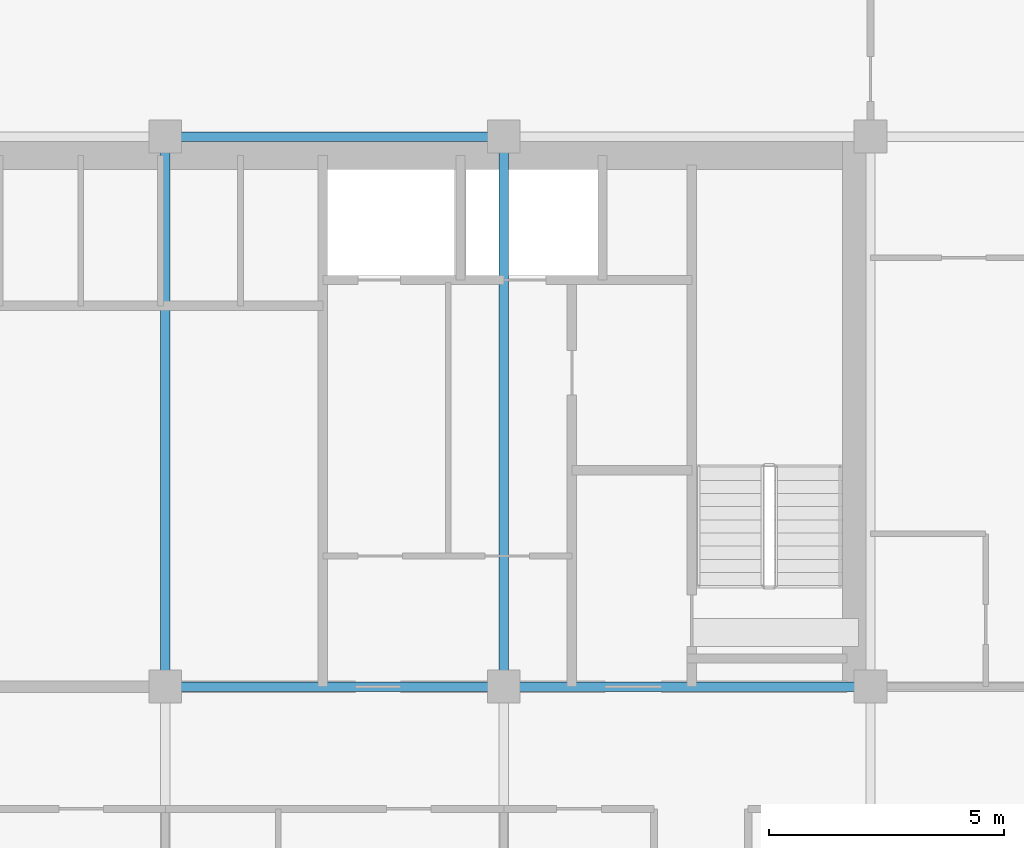
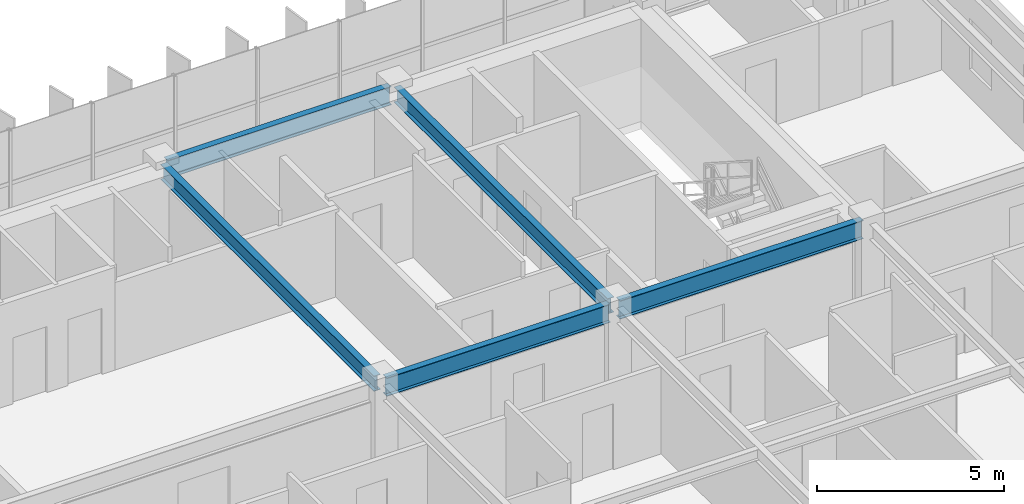
# One storey, part 8 of 22: 5 beams.
"""IFC4 building model written with IfcOpenShell, lengths in metres."""

from ifc_helpers import new_model, si_unit, direction, frame, origin, origin_2d, place, context, subcontext, project, spatial, i_section, extrude, source, transform, mapped, material, material_profile, profile_set, type_object, element, save


model = new_model("IFC4")

# Units and contexts
model_context = context("Model", 3, precision=1e-05, world=origin(), true_north=direction((0.0, 1.0)))
body_context = subcontext(model_context, "Body", "Model", "MODEL_VIEW")
ifc_project = project(units=[si_unit("LENGTHUNIT", "METRE"), si_unit("AREAUNIT", "SQUARE_METRE"), si_unit("VOLUMEUNIT", "CUBIC_METRE"), si_unit("PLANEANGLEUNIT", "RADIAN"), si_unit("MASSUNIT", "GRAM", prefix="KILO")], contexts=[model_context])

# Site, building, storey
site_placement = place(None, origin())
site = spatial("IfcSite", under=ifc_project, at=site_placement, CompositionType="ELEMENT")
building_placement = place(site_placement, origin())
building = spatial("IfcBuilding", under=site, at=building_placement, Name="Trelvane Seafront Commons", CompositionType="ELEMENT")
storey_placement = place(building_placement, frame((0.0, 0.0, 139.300048828125)))
storey = spatial("IfcBuildingStorey", under=building, at=storey_placement, Name="L36", CompositionType="ELEMENT", Elevation=139.300048828125)

# Beams
ifc_material = material(Name="Steel SM355 (S355)", Category="steel")
ifc_material_profile_1 = material_profile(ifc_material, i_section(OverallWidth=0.199951171875, OverallDepth=0.5, WebThickness=0.010009765625, FlangeThickness=0.01611328125, at=origin_2d()), Name="H-500x200x10x16")
ifc_profile_set_1 = profile_set([ifc_material_profile_1], Name="Steel SM355 (S355)")
beam_type_1 = type_object("IfcBeamType", Name="STR-BM-H500", PredefinedType="BEAM", material=ifc_profile_set_1)
shared_shape_1 = source(origin(), body_context, "Body", "SweptSolid", [
    extrude(i_section(OverallWidth=0.199951171875, OverallDepth=0.5, WebThickness=0.010009765625, FlangeThickness=0.01611328125, at=origin_2d()), origin(), (0.0, 0.0, 1.0), 11.39990234375),
])
for number, where, z_axis, x_axis, name in (
    (1, (43.800048828125, 33.550048828125, 3.099853515625), (0.0, 1.0, 0.0), (-1.0, 0.0, 0.0), "L36 Primary Girder G-43"),
    (2, (51.0, 33.550048828125, 3.099853515625), (0.0, 1.0, 0.0), (-1.0, 0.0, 0.0), "L36 Primary Girder G-46"),
):
    element("IfcBeam", number, at=place(storey_placement, frame(where, z_axis=z_axis, x_axis=x_axis)), inside=storey, type_object=beam_type_1, Name=name, PredefinedType="BEAM", context=body_context, shape_type="MappedRepresentation", body=[
        mapped(shared_shape_1, transform((0.0, 0.0, 0.0), x_axis=(1.0, 0.0, 0.0), y_axis=(0.0, 1.0, 0.0), z_axis=(0.0, 0.0, 1.0), scale=1.0)),
    ])
ifc_material_profile_2 = material_profile(ifc_material, i_section(OverallWidth=0.199951171875, OverallDepth=0.60009765625, WebThickness=0.010986328125, FlangeThickness=0.01708984375, at=origin_2d()), Name="H-600x200x11x17")
ifc_profile_set_2 = profile_set([ifc_material_profile_2], Name="Steel SM355 (S355)")
beam_type_2 = type_object("IfcBeamType", Name="STR-SPD-H600", PredefinedType="SPANDREL", material=ifc_profile_set_2)
shared_shape_2 = source(origin(), body_context, "Body", "SweptSolid", [
    extrude(i_section(OverallWidth=0.199951171875, OverallDepth=0.60009765625, WebThickness=0.010986328125, FlangeThickness=0.01708984375, at=origin_2d()), origin(), (0.0, 0.0, 1.0), 7.5),
])
beam_placement = place(storey_placement, frame((51.14990234375, 33.39990234375, 3.050048828125), z_axis=(1.0, 0.0, 0.0), x_axis=(0.0, 1.0, 0.0)))
element("IfcBeam", 3, at=beam_placement, inside=storey, type_object=beam_type_2, Name="L36 Primary Girder G-20", PredefinedType="SPANDREL", context=body_context, shape_type="MappedRepresentation", body=[
    mapped(shared_shape_2, transform((0.0, 0.0, 0.0), x_axis=(1.0, 0.0, 0.0), y_axis=(0.0, 1.0, 0.0), z_axis=(0.0, 0.0, 1.0), scale=1.0)),
])
shared_shape_3 = source(origin(), body_context, "Body", "SweptSolid", [
    extrude(i_section(OverallWidth=0.199951171875, OverallDepth=0.60009765625, WebThickness=0.010986328125, FlangeThickness=0.01708984375, at=origin_2d()), origin(), (0.0, 0.0, 1.0), 6.900146484375),
])
for number, where, z_axis, x_axis, name in (
    (4, (43.949951171875, 33.39990234375, 3.050048828125), (1.0, 0.0, 0.0), (0.0, 1.0, 0.0), "L36 Primary Girder G-19"),
    (5, (43.949951171875, 45.10009765625, 3.050048828125), (1.0, 0.0, 0.0), (0.0, 1.0, 0.0), "L36 Primary Girder G-26"),
):
    element("IfcBeam", number, at=place(storey_placement, frame(where, z_axis=z_axis, x_axis=x_axis)), inside=storey, type_object=beam_type_2, Name=name, PredefinedType="SPANDREL", context=body_context, shape_type="MappedRepresentation", body=[
        mapped(shared_shape_3, transform((0.0, 0.0, 0.0), x_axis=(1.0, 0.0, 0.0), y_axis=(0.0, 1.0, 0.0), z_axis=(0.0, 0.0, 1.0), scale=1.0)),
    ])

save(model, "model.ifc")
